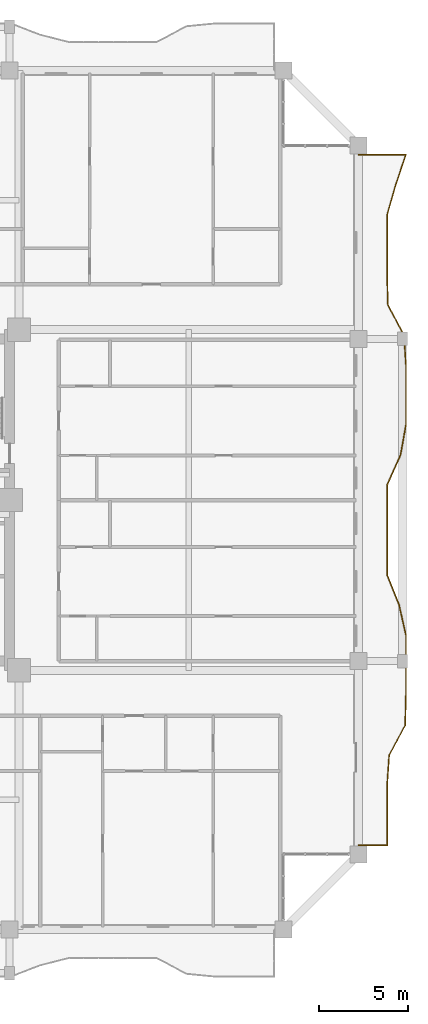
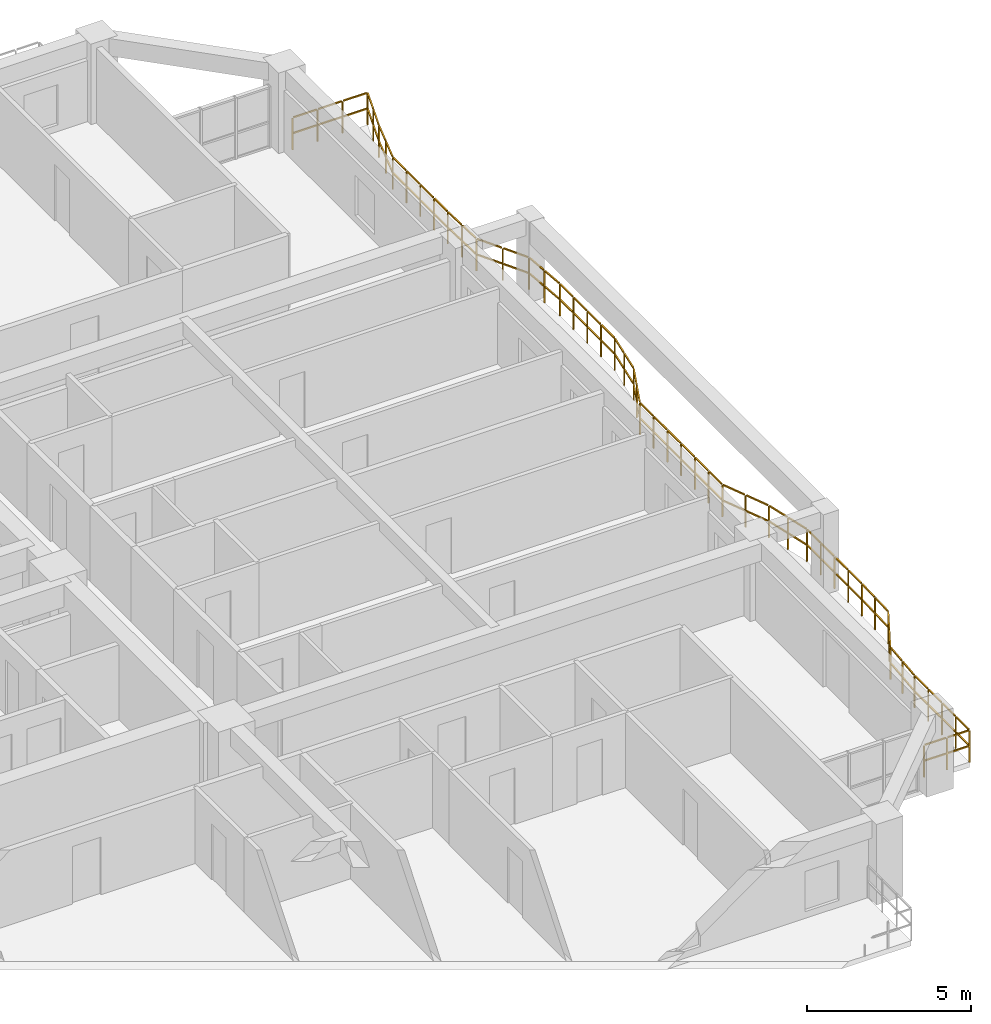
# One storey, part 24 of 25: 1 railing.
"""IFC4 building model written with IfcOpenShell, lengths in metres."""

from ifc_helpers import new_model, si_unit, direction, frame, origin, origin_2d, place, context, subcontext, project, spatial, rectangle, extrude, material, type_object, element, save


model = new_model("IFC4")

# Units and contexts
model_context = context("Model", 3, precision=1e-05, world=origin(), true_north=direction((0.0, 1.0)))
body_context = subcontext(model_context, "Body", "Model", "MODEL_VIEW")
ifc_project = project(units=[si_unit("LENGTHUNIT", "METRE"), si_unit("AREAUNIT", "SQUARE_METRE"), si_unit("VOLUMEUNIT", "CUBIC_METRE"), si_unit("PLANEANGLEUNIT", "RADIAN"), si_unit("MASSUNIT", "GRAM", prefix="KILO")], contexts=[model_context])

# Site, building, storey
site_placement = place(None, origin())
site = spatial("IfcSite", under=ifc_project, at=site_placement, CompositionType="ELEMENT")
building_placement = place(site_placement, origin())
building = spatial("IfcBuilding", under=site, at=building_placement, Name="Saelheon Loggia Tower", CompositionType="ELEMENT")
storey_placement = place(building_placement, frame((0.0, 0.0, 80.85009765625)))
storey = spatial("IfcBuildingStorey", under=building, at=storey_placement, Name="L25", CompositionType="ELEMENT", Elevation=80.85009765625)

# Railing
ifc_material = material(Name="Architectural Precast Concrete and Laminated Glass Guard", Category="concrete")
railing_type = type_object("IfcRailingType", Name="Guard_Loggia_RL_LOG", PredefinedType="BALUSTRADE", material=ifc_material)
railing_placement = place(storey_placement, frame((64.0, 7.699951171875, 0.0)))
element("IfcRailing", 1, at=railing_placement, inside=storey, type_object=railing_type, Name="L25 East Loggia Balustrade", PredefinedType="BALUSTRADE", context=body_context, shape_type="SweptSolid", body=[
    extrude(rectangle(XDim=0.048095703125, YDim=0.048095703125, at=origin_2d()), frame((0.033203125, 0.0, 1.19580078125), z_axis=(1.0, 0.0, 0.0), x_axis=(0.0, 1.0, 0.0)), (0.0, 0.0, 1.0), 0.733642578125),
    extrude(rectangle(XDim=0.048095703125, YDim=0.048095703125, at=origin_2d()), frame((0.033203125, 0.0, 0.60986328125), z_axis=(1.0, 0.0, 0.0), x_axis=(0.0, 1.0, 0.0)), (0.0, 0.0, 1.0), 0.733642578125),
    extrude(rectangle(XDim=0.048095703125, YDim=0.048095703125, at=origin_2d()), frame((0.833251953125, 0.0, 1.19580078125), z_axis=(1.0, 0.0, 0.0), x_axis=(0.0, 1.0, 0.0)), (0.0, 0.0, 1.0), 0.733642578125),
    extrude(rectangle(XDim=0.048095703125, YDim=0.048095703125, at=origin_2d()), frame((0.833251953125, 0.0, 0.60986328125), z_axis=(1.0, 0.0, 0.0), x_axis=(0.0, 1.0, 0.0)), (0.0, 0.0, 1.0), 0.733642578125),
    extrude(rectangle(XDim=0.048095703125, YDim=0.048095703125, at=origin_2d()), frame((1.60009765625, 0.033203125, 1.19580078125), z_axis=(0.0, 1.0, 0.0), x_axis=(-1.0, 0.0, 0.0)), (0.0, 0.0, 1.0), 0.772705078125),
    extrude(rectangle(XDim=0.048095703125, YDim=0.048095703125, at=origin_2d()), frame((1.60009765625, 0.033203125, 0.60986328125), z_axis=(0.0, 1.0, 0.0), x_axis=(-1.0, 0.0, 0.0)), (0.0, 0.0, 1.0), 0.772705078125),
    extrude(rectangle(XDim=0.048095703125, YDim=0.048095703125, at=origin_2d()), frame((1.60009765625, 0.87255859375, 1.19580078125), z_axis=(0.0, 1.0, 0.0), x_axis=(-1.0, 0.0, 0.0)), (0.0, 0.0, 1.0), 0.772705078125),
    extrude(rectangle(XDim=0.048095703125, YDim=0.048095703125, at=origin_2d()), frame((1.60009765625, 0.87255859375, 0.60986328125), z_axis=(0.0, 1.0, 0.0), x_axis=(-1.0, 0.0, 0.0)), (0.0, 0.0, 1.0), 0.772705078125),
    extrude(rectangle(XDim=0.048095703125, YDim=0.048095703125, at=origin_2d()), frame((1.60009765625, 1.711669921875, 1.19580078125), z_axis=(0.0, 1.0, 0.0), x_axis=(-1.0, 0.0, 0.0)), (0.0, 0.0, 1.0), 0.7724609375),
    extrude(rectangle(XDim=0.048095703125, YDim=0.048095703125, at=origin_2d()), frame((1.60009765625, 1.711669921875, 0.60986328125), z_axis=(0.0, 1.0, 0.0), x_axis=(-1.0, 0.0, 0.0)), (0.0, 0.0, 1.0), 0.7724609375),
    extrude(rectangle(XDim=0.048095703125, YDim=0.048095703125, at=origin_2d()), frame((1.60009765625, 2.55078125, 1.19580078125), z_axis=(0.0, 1.0, 0.0), x_axis=(-1.0, 0.0, 0.0)), (0.0, 0.0, 1.0), 0.7724609375),
    extrude(rectangle(XDim=0.048095703125, YDim=0.048095703125, at=origin_2d()), frame((1.60009765625, 2.55078125, 0.60986328125), z_axis=(0.0, 1.0, 0.0), x_axis=(-1.0, 0.0, 0.0)), (0.0, 0.0, 1.0), 0.7724609375),
    extrude(rectangle(XDim=0.048095703125, YDim=0.048095703125, at=origin_2d()), frame((1.602294921875, 3.3896484375, 1.19580078125), z_axis=(0.068059999537, 0.997681229884, 0.0), x_axis=(-0.997681229884, 0.068059999537, 0.0)), (0.0, 0.0, 1.0), 0.774658203125),
    extrude(rectangle(XDim=0.048095703125, YDim=0.048095703125, at=origin_2d()), frame((1.602294921875, 3.3896484375, 0.60986328125), z_axis=(0.068059999537, 0.997681229884, 0.0), x_axis=(-0.997681229884, 0.068059999537, 0.0)), (0.0, 0.0, 1.0), 0.774658203125),
    extrude(rectangle(XDim=0.048095703125, YDim=0.048095703125, at=origin_2d()), frame((1.65966796875, 4.228759765625, 1.19580078125), z_axis=(0.068059999537, 0.997681229884, 0.0), x_axis=(-0.997681229884, 0.068059999537, 0.0)), (0.0, 0.0, 1.0), 0.774658203125),
    extrude(rectangle(XDim=0.048095703125, YDim=0.048095703125, at=origin_2d()), frame((1.65966796875, 4.228759765625, 0.60986328125), z_axis=(0.068059999537, 0.997681229884, 0.0), x_axis=(-0.997681229884, 0.068059999537, 0.0)), (0.0, 0.0, 1.0), 0.774658203125),
    extrude(rectangle(XDim=0.048095703125, YDim=0.048095703125, at=origin_2d()), frame((1.730224609375, 5.064208984375, 1.19580078125), z_axis=(0.4706748388, 0.882306747181, 0.0), x_axis=(-0.882306747181, 0.4706748388, 0.0)), (0.0, 0.0, 1.0), 0.884521484375),
    extrude(rectangle(XDim=0.048095703125, YDim=0.048095703125, at=origin_2d()), frame((1.730224609375, 5.064208984375, 0.60986328125), z_axis=(0.4706748388, 0.882306747181, 0.0), x_axis=(-0.882306747181, 0.4706748388, 0.0)), (0.0, 0.0, 1.0), 0.884521484375),
    extrude(rectangle(XDim=0.048095703125, YDim=0.048095703125, at=origin_2d()), frame((2.177978515625, 5.9033203125, 1.19580078125), z_axis=(0.4706748388, 0.882306747181, 0.0), x_axis=(-0.882306747181, 0.4706748388, 0.0)), (0.0, 0.0, 1.0), 0.884521484375),
    extrude(rectangle(XDim=0.048095703125, YDim=0.048095703125, at=origin_2d()), frame((2.177978515625, 5.9033203125, 0.60986328125), z_axis=(0.4706748388, 0.882306747181, 0.0), x_axis=(-0.882306747181, 0.4706748388, 0.0)), (0.0, 0.0, 1.0), 0.884521484375),
    extrude(rectangle(XDim=0.048095703125, YDim=0.048095703125, at=origin_2d()), frame((2.610595703125, 6.746337890625, 1.19580078125), z_axis=(0.023851228559, 0.999715518983, 0.0), x_axis=(-0.999715518983, 0.023851228559, 0.0)), (0.0, 0.0, 1.0), 0.77294921875),
    extrude(rectangle(XDim=0.048095703125, YDim=0.048095703125, at=origin_2d()), frame((2.610595703125, 6.746337890625, 0.60986328125), z_axis=(0.023851228559, 0.999715518983, 0.0), x_axis=(-0.999715518983, 0.023851228559, 0.0)), (0.0, 0.0, 1.0), 0.77294921875),
    extrude(rectangle(XDim=0.048095703125, YDim=0.048095703125, at=origin_2d()), frame((2.630615234375, 7.58544921875, 1.19580078125), z_axis=(0.023851228559, 0.999715518983, 0.0), x_axis=(-0.999715518983, 0.023851228559, 0.0)), (0.0, 0.0, 1.0), 0.77294921875),
    extrude(rectangle(XDim=0.048095703125, YDim=0.048095703125, at=origin_2d()), frame((2.630615234375, 7.58544921875, 0.60986328125), z_axis=(0.023851228559, 0.999715518983, 0.0), x_axis=(-0.999715518983, 0.023851228559, 0.0)), (0.0, 0.0, 1.0), 0.77294921875),
    extrude(rectangle(XDim=0.048095703125, YDim=0.048095703125, at=origin_2d()), frame((2.64990234375, 8.424560546875, 1.19580078125), z_axis=(0.0, 1.0, 0.0), x_axis=(-1.0, 0.0, 0.0)), (0.0, 0.0, 1.0), 0.772705078125),
    extrude(rectangle(XDim=0.048095703125, YDim=0.048095703125, at=origin_2d()), frame((2.64990234375, 8.424560546875, 0.60986328125), z_axis=(0.0, 1.0, 0.0), x_axis=(-1.0, 0.0, 0.0)), (0.0, 0.0, 1.0), 0.772705078125),
    extrude(rectangle(XDim=0.048095703125, YDim=0.048095703125, at=origin_2d()), frame((2.64990234375, 9.263671875, 1.19580078125), z_axis=(0.0, 1.0, 0.0), x_axis=(-1.0, 0.0, 0.0)), (0.0, 0.0, 1.0), 0.772705078125),
    extrude(rectangle(XDim=0.048095703125, YDim=0.048095703125, at=origin_2d()), frame((2.64990234375, 9.263671875, 0.60986328125), z_axis=(0.0, 1.0, 0.0), x_axis=(-1.0, 0.0, 0.0)), (0.0, 0.0, 1.0), 0.772705078125),
    extrude(rectangle(XDim=0.048095703125, YDim=0.048095703125, at=origin_2d()), frame((2.64990234375, 10.102783203125, 1.19580078125), z_axis=(0.0, 1.0, 0.0), x_axis=(-1.0, 0.0, 0.0)), (0.0, 0.0, 1.0), 0.772705078125),
    extrude(rectangle(XDim=0.048095703125, YDim=0.048095703125, at=origin_2d()), frame((2.64990234375, 10.102783203125, 0.60986328125), z_axis=(0.0, 1.0, 0.0), x_axis=(-1.0, 0.0, 0.0)), (0.0, 0.0, 1.0), 0.772705078125),
    extrude(rectangle(XDim=0.048095703125, YDim=0.048095703125, at=origin_2d()), frame((2.64990234375, 10.94189453125, 1.19580078125), z_axis=(0.0, 1.0, 0.0), x_axis=(-1.0, 0.0, 0.0)), (0.0, 0.0, 1.0), 0.772705078125),
    extrude(rectangle(XDim=0.048095703125, YDim=0.048095703125, at=origin_2d()), frame((2.64990234375, 10.94189453125, 0.60986328125), z_axis=(0.0, 1.0, 0.0), x_axis=(-1.0, 0.0, 0.0)), (0.0, 0.0, 1.0), 0.772705078125),
    extrude(rectangle(XDim=0.048095703125, YDim=0.048095703125, at=origin_2d()), frame((2.642578125, 11.7802734375, 1.19580078125), z_axis=(-0.219934224099, 0.975514703667, 0.0), x_axis=(-0.975514703667, -0.219934224099, 0.0)), (0.0, 0.0, 1.0), 0.7939453125),
    extrude(rectangle(XDim=0.048095703125, YDim=0.048095703125, at=origin_2d()), frame((2.642578125, 11.7802734375, 0.60986328125), z_axis=(-0.219934224099, 0.975514703667, 0.0), x_axis=(-0.975514703667, -0.219934224099, 0.0)), (0.0, 0.0, 1.0), 0.7939453125),
    extrude(rectangle(XDim=0.048095703125, YDim=0.048095703125, at=origin_2d()), frame((2.453369140625, 12.619384765625, 1.19580078125), z_axis=(-0.219934224099, 0.975514703667, 0.0), x_axis=(-0.975514703667, -0.219934224099, 0.0)), (0.0, 0.0, 1.0), 0.7939453125),
    extrude(rectangle(XDim=0.048095703125, YDim=0.048095703125, at=origin_2d()), frame((2.453369140625, 12.619384765625, 0.60986328125), z_axis=(-0.219934224099, 0.975514703667, 0.0), x_axis=(-0.975514703667, -0.219934224099, 0.0)), (0.0, 0.0, 1.0), 0.7939453125),
    extrude(rectangle(XDim=0.048095703125, YDim=0.048095703125, at=origin_2d()), frame((2.259033203125, 13.45703125, 1.19580078125), z_axis=(-0.371483836575, 0.928439421375, 0.0), x_axis=(-0.928439421375, -0.371483836575, 0.0)), (0.0, 0.0, 1.0), 0.837158203125),
    extrude(rectangle(XDim=0.048095703125, YDim=0.048095703125, at=origin_2d()), frame((2.259033203125, 13.45703125, 0.60986328125), z_axis=(-0.371483836575, 0.928439421375, 0.0), x_axis=(-0.928439421375, -0.371483836575, 0.0)), (0.0, 0.0, 1.0), 0.837158203125),
    extrude(rectangle(XDim=0.048095703125, YDim=0.048095703125, at=origin_2d()), frame((1.92333984375, 14.296142578125, 1.19580078125), z_axis=(-0.371483836575, 0.928439421375, 0.0), x_axis=(-0.928439421375, -0.371483836575, 0.0)), (0.0, 0.0, 1.0), 0.837158203125),
    extrude(rectangle(XDim=0.048095703125, YDim=0.048095703125, at=origin_2d()), frame((1.92333984375, 14.296142578125, 0.60986328125), z_axis=(-0.371483836575, 0.928439421375, 0.0), x_axis=(-0.928439421375, -0.371483836575, 0.0)), (0.0, 0.0, 1.0), 0.837158203125),
    extrude(rectangle(XDim=0.048095703125, YDim=0.048095703125, at=origin_2d()), frame((1.60009765625, 15.137451171875, 1.19580078125), z_axis=(0.0, 1.0, 0.0), x_axis=(-1.0, 0.0, 0.0)), (0.0, 0.0, 1.0), 0.772705078125),
    extrude(rectangle(XDim=0.048095703125, YDim=0.048095703125, at=origin_2d()), frame((1.60009765625, 15.137451171875, 0.60986328125), z_axis=(0.0, 1.0, 0.0), x_axis=(-1.0, 0.0, 0.0)), (0.0, 0.0, 1.0), 0.772705078125),
    extrude(rectangle(XDim=0.048095703125, YDim=0.048095703125, at=origin_2d()), frame((1.60009765625, 15.976806640625, 1.19580078125), z_axis=(0.0, 1.0, 0.0), x_axis=(-1.0, 0.0, 0.0)), (0.0, 0.0, 1.0), 0.772705078125),
    extrude(rectangle(XDim=0.048095703125, YDim=0.048095703125, at=origin_2d()), frame((1.60009765625, 15.976806640625, 0.60986328125), z_axis=(0.0, 1.0, 0.0), x_axis=(-1.0, 0.0, 0.0)), (0.0, 0.0, 1.0), 0.772705078125),
    extrude(rectangle(XDim=0.048095703125, YDim=0.048095703125, at=origin_2d()), frame((1.60009765625, 16.81591796875, 1.19580078125), z_axis=(0.0, 1.0, 0.0), x_axis=(-1.0, 0.0, 0.0)), (0.0, 0.0, 1.0), 0.772705078125),
    extrude(rectangle(XDim=0.048095703125, YDim=0.048095703125, at=origin_2d()), frame((1.60009765625, 16.81591796875, 0.60986328125), z_axis=(0.0, 1.0, 0.0), x_axis=(-1.0, 0.0, 0.0)), (0.0, 0.0, 1.0), 0.772705078125),
    extrude(rectangle(XDim=0.048095703125, YDim=0.048095703125, at=origin_2d()), frame((1.60009765625, 17.655029296875, 1.19580078125), z_axis=(0.0, 1.0, 0.0), x_axis=(-1.0, 0.0, 0.0)), (0.0, 0.0, 1.0), 0.772705078125),
    extrude(rectangle(XDim=0.048095703125, YDim=0.048095703125, at=origin_2d()), frame((1.60009765625, 17.655029296875, 0.60986328125), z_axis=(0.0, 1.0, 0.0), x_axis=(-1.0, 0.0, 0.0)), (0.0, 0.0, 1.0), 0.772705078125),
    extrude(rectangle(XDim=0.048095703125, YDim=0.048095703125, at=origin_2d()), frame((1.60009765625, 18.494140625, 1.19580078125), z_axis=(0.0, 1.0, 0.0), x_axis=(-1.0, 0.0, 0.0)), (0.0, 0.0, 1.0), 0.772705078125),
    extrude(rectangle(XDim=0.048095703125, YDim=0.048095703125, at=origin_2d()), frame((1.60009765625, 18.494140625, 0.60986328125), z_axis=(0.0, 1.0, 0.0), x_axis=(-1.0, 0.0, 0.0)), (0.0, 0.0, 1.0), 0.772705078125),
    extrude(rectangle(XDim=0.048095703125, YDim=0.048095703125, at=origin_2d()), frame((1.60009765625, 19.333251953125, 1.19580078125), z_axis=(0.0, 1.0, 0.0), x_axis=(-1.0, 0.0, 0.0)), (0.0, 0.0, 1.0), 0.772705078125),
    extrude(rectangle(XDim=0.048095703125, YDim=0.048095703125, at=origin_2d()), frame((1.60009765625, 19.333251953125, 0.60986328125), z_axis=(0.0, 1.0, 0.0), x_axis=(-1.0, 0.0, 0.0)), (0.0, 0.0, 1.0), 0.772705078125),
    extrude(rectangle(XDim=0.048095703125, YDim=0.048095703125, at=origin_2d()), frame((1.613525390625, 20.16943359375, 1.19580078125), z_axis=(0.407567762137, 0.913174966404, 0.0), x_axis=(-0.913174966404, 0.407567762137, 0.0)), (0.0, 0.0, 1.0), 0.8525390625),
    extrude(rectangle(XDim=0.048095703125, YDim=0.048095703125, at=origin_2d()), frame((1.613525390625, 20.16943359375, 0.60986328125), z_axis=(0.407567762137, 0.913174966404, 0.0), x_axis=(-0.913174966404, 0.407567762137, 0.0)), (0.0, 0.0, 1.0), 0.8525390625),
    extrude(rectangle(XDim=0.048095703125, YDim=0.048095703125, at=origin_2d()), frame((1.988037109375, 21.008544921875, 1.19580078125), z_axis=(0.407567762137, 0.913174966404, 0.0), x_axis=(-0.913174966404, 0.407567762137, 0.0)), (0.0, 0.0, 1.0), 0.8525390625),
    extrude(rectangle(XDim=0.048095703125, YDim=0.048095703125, at=origin_2d()), frame((1.988037109375, 21.008544921875, 0.60986328125), z_axis=(0.407567762137, 0.913174966404, 0.0), x_axis=(-0.913174966404, 0.407567762137, 0.0)), (0.0, 0.0, 1.0), 0.8525390625),
    extrude(rectangle(XDim=0.048095703125, YDim=0.048095703125, at=origin_2d()), frame((2.35498046875, 21.85009765625, 1.19580078125), z_axis=(0.176390201741, 0.984320322217, 0.0), x_axis=(-0.984320322217, 0.176390201741, 0.0)), (0.0, 0.0, 1.0), 0.7861328125),
    extrude(rectangle(XDim=0.048095703125, YDim=0.048095703125, at=origin_2d()), frame((2.35498046875, 21.85009765625, 0.60986328125), z_axis=(0.176390201741, 0.984320322217, 0.0), x_axis=(-0.984320322217, 0.176390201741, 0.0)), (0.0, 0.0, 1.0), 0.7861328125),
    extrude(rectangle(XDim=0.048095703125, YDim=0.048095703125, at=origin_2d()), frame((2.50537109375, 22.689208984375, 1.19580078125), z_axis=(0.176390201741, 0.984320322217, 0.0), x_axis=(-0.984320322217, 0.176390201741, 0.0)), (0.0, 0.0, 1.0), 0.7861328125),
    extrude(rectangle(XDim=0.048095703125, YDim=0.048095703125, at=origin_2d()), frame((2.50537109375, 22.689208984375, 0.60986328125), z_axis=(0.176390201741, 0.984320322217, 0.0), x_axis=(-0.984320322217, 0.176390201741, 0.0)), (0.0, 0.0, 1.0), 0.7861328125),
    extrude(rectangle(XDim=0.048095703125, YDim=0.048095703125, at=origin_2d()), frame((2.64990234375, 23.529052734375, 1.19580078125), z_axis=(0.0, 1.0, 0.0), x_axis=(-1.0, 0.0, 0.0)), (0.0, 0.0, 1.0), 0.7724609375),
    extrude(rectangle(XDim=0.048095703125, YDim=0.048095703125, at=origin_2d()), frame((2.64990234375, 23.529052734375, 0.60986328125), z_axis=(0.0, 1.0, 0.0), x_axis=(-1.0, 0.0, 0.0)), (0.0, 0.0, 1.0), 0.7724609375),
    extrude(rectangle(XDim=0.048095703125, YDim=0.048095703125, at=origin_2d()), frame((2.64990234375, 24.3681640625, 1.19580078125), z_axis=(0.0, 1.0, 0.0), x_axis=(-1.0, 0.0, 0.0)), (0.0, 0.0, 1.0), 0.7724609375),
    extrude(rectangle(XDim=0.048095703125, YDim=0.048095703125, at=origin_2d()), frame((2.64990234375, 24.3681640625, 0.60986328125), z_axis=(0.0, 1.0, 0.0), x_axis=(-1.0, 0.0, 0.0)), (0.0, 0.0, 1.0), 0.7724609375),
    extrude(rectangle(XDim=0.048095703125, YDim=0.048095703125, at=origin_2d()), frame((2.64990234375, 25.20703125, 1.19580078125), z_axis=(0.0, 1.0, 0.0), x_axis=(-1.0, 0.0, 0.0)), (0.0, 0.0, 1.0), 0.772705078125),
    extrude(rectangle(XDim=0.048095703125, YDim=0.048095703125, at=origin_2d()), frame((2.64990234375, 25.20703125, 0.60986328125), z_axis=(0.0, 1.0, 0.0), x_axis=(-1.0, 0.0, 0.0)), (0.0, 0.0, 1.0), 0.772705078125),
    extrude(rectangle(XDim=0.048095703125, YDim=0.048095703125, at=origin_2d()), frame((2.64990234375, 26.04638671875, 1.19580078125), z_axis=(0.0, 1.0, 0.0), x_axis=(-1.0, 0.0, 0.0)), (0.0, 0.0, 1.0), 0.772705078125),
    extrude(rectangle(XDim=0.048095703125, YDim=0.048095703125, at=origin_2d()), frame((2.64990234375, 26.04638671875, 0.60986328125), z_axis=(0.0, 1.0, 0.0), x_axis=(-1.0, 0.0, 0.0)), (0.0, 0.0, 1.0), 0.772705078125),
    extrude(rectangle(XDim=0.048095703125, YDim=0.048095703125, at=origin_2d()), frame((2.647705078125, 26.885498046875, 1.19580078125), z_axis=(-0.06778091462, 0.997700229334, 0.0), x_axis=(-0.997700229334, -0.06778091462, 0.0)), (0.0, 0.0, 1.0), 0.774658203125),
    extrude(rectangle(XDim=0.048095703125, YDim=0.048095703125, at=origin_2d()), frame((2.647705078125, 26.885498046875, 0.60986328125), z_axis=(-0.06778091462, 0.997700229334, 0.0), x_axis=(-0.997700229334, -0.06778091462, 0.0)), (0.0, 0.0, 1.0), 0.774658203125),
    extrude(rectangle(XDim=0.048095703125, YDim=0.048095703125, at=origin_2d()), frame((2.590576171875, 27.724609375, 1.19580078125), z_axis=(-0.06778091462, 0.997700229334, 0.0), x_axis=(-0.997700229334, -0.06778091462, 0.0)), (0.0, 0.0, 1.0), 0.774658203125),
    extrude(rectangle(XDim=0.048095703125, YDim=0.048095703125, at=origin_2d()), frame((2.590576171875, 27.724609375, 0.60986328125), z_axis=(-0.06778091462, 0.997700229334, 0.0), x_axis=(-0.997700229334, -0.06778091462, 0.0)), (0.0, 0.0, 1.0), 0.774658203125),
    extrude(rectangle(XDim=0.048095703125, YDim=0.048095703125, at=origin_2d()), frame((2.520263671875, 28.559814453125, 1.19580078125), z_axis=(-0.470275016821, 0.882519919636, 0.0), x_axis=(-0.882519919636, -0.470275016821, 0.0)), (0.0, 0.0, 1.0), 0.88427734375),
    extrude(rectangle(XDim=0.048095703125, YDim=0.048095703125, at=origin_2d()), frame((2.520263671875, 28.559814453125, 0.60986328125), z_axis=(-0.470275016821, 0.882519919636, 0.0), x_axis=(-0.882519919636, -0.470275016821, 0.0)), (0.0, 0.0, 1.0), 0.88427734375),
    extrude(rectangle(XDim=0.048095703125, YDim=0.048095703125, at=origin_2d()), frame((2.072998046875, 29.39892578125, 1.19580078125), z_axis=(-0.470275016821, 0.882519919636, 0.0), x_axis=(-0.882519919636, -0.470275016821, 0.0)), (0.0, 0.0, 1.0), 0.88427734375),
    extrude(rectangle(XDim=0.048095703125, YDim=0.048095703125, at=origin_2d()), frame((2.072998046875, 29.39892578125, 0.60986328125), z_axis=(-0.470275016821, 0.882519919636, 0.0), x_axis=(-0.882519919636, -0.470275016821, 0.0)), (0.0, 0.0, 1.0), 0.88427734375),
    extrude(rectangle(XDim=0.048095703125, YDim=0.048095703125, at=origin_2d()), frame((1.640869140625, 30.241943359375, 1.19580078125), z_axis=(-0.024723310515, 0.999694332242, 0.0), x_axis=(-0.999694332242, -0.024723310515, 0.0)), (0.0, 0.0, 1.0), 0.77294921875),
    extrude(rectangle(XDim=0.048095703125, YDim=0.048095703125, at=origin_2d()), frame((1.640869140625, 30.241943359375, 0.60986328125), z_axis=(-0.024723310515, 0.999694332242, 0.0), x_axis=(-0.999694332242, -0.024723310515, 0.0)), (0.0, 0.0, 1.0), 0.77294921875),
    extrude(rectangle(XDim=0.048095703125, YDim=0.048095703125, at=origin_2d()), frame((1.6201171875, 31.0810546875, 1.19580078125), z_axis=(-0.024723310515, 0.999694332242, 0.0), x_axis=(-0.999694332242, -0.024723310515, 0.0)), (0.0, 0.0, 1.0), 0.77294921875),
    extrude(rectangle(XDim=0.048095703125, YDim=0.048095703125, at=origin_2d()), frame((1.6201171875, 31.0810546875, 0.60986328125), z_axis=(-0.024723310515, 0.999694332242, 0.0), x_axis=(-0.999694332242, -0.024723310515, 0.0)), (0.0, 0.0, 1.0), 0.77294921875),
    extrude(rectangle(XDim=0.048095703125, YDim=0.048095703125, at=origin_2d()), frame((1.60009765625, 31.920166015625, 1.19580078125), z_axis=(0.0, 1.0, 0.0), x_axis=(-1.0, 0.0, 0.0)), (0.0, 0.0, 1.0), 0.772705078125),
    extrude(rectangle(XDim=0.048095703125, YDim=0.048095703125, at=origin_2d()), frame((1.60009765625, 31.920166015625, 0.60986328125), z_axis=(0.0, 1.0, 0.0), x_axis=(-1.0, 0.0, 0.0)), (0.0, 0.0, 1.0), 0.772705078125),
    extrude(rectangle(XDim=0.048095703125, YDim=0.048095703125, at=origin_2d()), frame((1.60009765625, 32.75927734375, 1.19580078125), z_axis=(0.0, 1.0, 0.0), x_axis=(-1.0, 0.0, 0.0)), (0.0, 0.0, 1.0), 0.772705078125),
    extrude(rectangle(XDim=0.048095703125, YDim=0.048095703125, at=origin_2d()), frame((1.60009765625, 32.75927734375, 0.60986328125), z_axis=(0.0, 1.0, 0.0), x_axis=(-1.0, 0.0, 0.0)), (0.0, 0.0, 1.0), 0.772705078125),
    extrude(rectangle(XDim=0.048095703125, YDim=0.048095703125, at=origin_2d()), frame((1.60009765625, 33.598388671875, 1.19580078125), z_axis=(0.0, 1.0, 0.0), x_axis=(-1.0, 0.0, 0.0)), (0.0, 0.0, 1.0), 0.772705078125),
    extrude(rectangle(XDim=0.048095703125, YDim=0.048095703125, at=origin_2d()), frame((1.60009765625, 33.598388671875, 0.60986328125), z_axis=(0.0, 1.0, 0.0), x_axis=(-1.0, 0.0, 0.0)), (0.0, 0.0, 1.0), 0.772705078125),
    extrude(rectangle(XDim=0.048095703125, YDim=0.048095703125, at=origin_2d()), frame((1.60009765625, 34.437744140625, 1.19580078125), z_axis=(0.0, 1.0, 0.0), x_axis=(-1.0, 0.0, 0.0)), (0.0, 0.0, 1.0), 0.772705078125),
    extrude(rectangle(XDim=0.048095703125, YDim=0.048095703125, at=origin_2d()), frame((1.60009765625, 34.437744140625, 0.60986328125), z_axis=(0.0, 1.0, 0.0), x_axis=(-1.0, 0.0, 0.0)), (0.0, 0.0, 1.0), 0.772705078125),
    extrude(rectangle(XDim=0.048095703125, YDim=0.048095703125, at=origin_2d()), frame((1.609130859375, 35.275634765625, 1.19580078125), z_axis=(0.275146022747, 0.961402447556, 0.0), x_axis=(-0.961402447556, 0.275146022747, 0.0)), (0.0, 0.0, 1.0), 0.80615234375),
    extrude(rectangle(XDim=0.048095703125, YDim=0.048095703125, at=origin_2d()), frame((1.609130859375, 35.275634765625, 0.60986328125), z_axis=(0.275146022747, 0.961402447556, 0.0), x_axis=(-0.961402447556, 0.275146022747, 0.0)), (0.0, 0.0, 1.0), 0.80615234375),
    extrude(rectangle(XDim=0.048095703125, YDim=0.048095703125, at=origin_2d()), frame((1.849365234375, 36.114501953125, 1.19580078125), z_axis=(0.275146022747, 0.961402447556, 0.0), x_axis=(-0.961402447556, 0.275146022747, 0.0)), (0.0, 0.0, 1.0), 0.80615234375),
    extrude(rectangle(XDim=0.048095703125, YDim=0.048095703125, at=origin_2d()), frame((1.849365234375, 36.114501953125, 0.60986328125), z_axis=(0.275146022747, 0.961402447556, 0.0), x_axis=(-0.961402447556, 0.275146022747, 0.0)), (0.0, 0.0, 1.0), 0.80615234375),
    extrude(rectangle(XDim=0.048095703125, YDim=0.048095703125, at=origin_2d()), frame((2.091064453125, 36.953125, 1.19580078125), z_axis=(0.321347076039, 0.946961486398, 0.0), x_axis=(-0.946961486398, 0.321347076039, 0.0)), (0.0, 0.0, 1.0), 0.81982421875),
    extrude(rectangle(XDim=0.048095703125, YDim=0.048095703125, at=origin_2d()), frame((2.091064453125, 36.953125, 0.60986328125), z_axis=(0.321347076039, 0.946961486398, 0.0), x_axis=(-0.946961486398, 0.321347076039, 0.0)), (0.0, 0.0, 1.0), 0.81982421875),
    extrude(rectangle(XDim=0.048095703125, YDim=0.048095703125, at=origin_2d()), frame((2.375732421875, 37.792236328125, 1.19580078125), z_axis=(0.321347076039, 0.946961486398, 0.0), x_axis=(-0.946961486398, 0.321347076039, 0.0)), (0.0, 0.0, 1.0), 0.81982421875),
    extrude(rectangle(XDim=0.048095703125, YDim=0.048095703125, at=origin_2d()), frame((2.375732421875, 37.792236328125, 0.60986328125), z_axis=(0.321347076039, 0.946961486398, 0.0), x_axis=(-0.946961486398, 0.321347076039, 0.0)), (0.0, 0.0, 1.0), 0.81982421875),
    extrude(rectangle(XDim=0.048095703125, YDim=0.048095703125, at=origin_2d()), frame((2.61669921875, 38.60009765625, 1.19580078125), z_axis=(-1.0, 0.0, 0.0), x_axis=(0.0, -1.0, 0.0)), (0.0, 0.0, 1.0), 0.81689453125),
    extrude(rectangle(XDim=0.048095703125, YDim=0.048095703125, at=origin_2d()), frame((2.61669921875, 38.60009765625, 0.60986328125), z_axis=(-1.0, 0.0, 0.0), x_axis=(0.0, -1.0, 0.0)), (0.0, 0.0, 1.0), 0.81689453125),
    extrude(rectangle(XDim=0.048095703125, YDim=0.048095703125, at=origin_2d()), frame((1.7333984375, 38.60009765625, 1.19580078125), z_axis=(-1.0, 0.0, 0.0), x_axis=(0.0, -1.0, 0.0)), (0.0, 0.0, 1.0), 0.81689453125),
    extrude(rectangle(XDim=0.048095703125, YDim=0.048095703125, at=origin_2d()), frame((1.7333984375, 38.60009765625, 0.60986328125), z_axis=(-1.0, 0.0, 0.0), x_axis=(0.0, -1.0, 0.0)), (0.0, 0.0, 1.0), 0.81689453125),
    extrude(rectangle(XDim=0.048095703125, YDim=0.048095703125, at=origin_2d()), frame((0.85009765625, 38.60009765625, 1.19580078125), z_axis=(-1.0, 0.0, 0.0), x_axis=(0.0, -1.0, 0.0)), (0.0, 0.0, 1.0), 0.81689453125),
    extrude(rectangle(XDim=0.048095703125, YDim=0.048095703125, at=origin_2d()), frame((0.85009765625, 38.60009765625, 0.60986328125), z_axis=(-1.0, 0.0, 0.0), x_axis=(0.0, -1.0, 0.0)), (0.0, 0.0, 1.0), 0.81689453125),
    extrude(rectangle(XDim=0.0419921875, YDim=0.0419921875, at=origin_2d()), origin(), (0.0, 0.0, 1.0), 1.16796875),
    extrude(rectangle(XDim=0.0419921875, YDim=0.0419921875, at=origin_2d()), frame((0.800048828125, 0.0, 0.0)), (0.0, 0.0, 1.0), 1.16796875),
    extrude(rectangle(XDim=0.0419921875, YDim=0.0419921875, at=origin_2d()), frame((1.60009765625, 0.0, 0.0)), (0.0, 0.0, 1.0), 1.16796875),
    extrude(rectangle(XDim=0.0419921875, YDim=0.0419921875, at=origin_2d()), frame((1.60009765625, 0.83935546875, 0.0)), (0.0, 0.0, 1.0), 1.16796875),
    extrude(rectangle(XDim=0.0419921875, YDim=0.0419921875, at=origin_2d()), frame((1.60009765625, 1.678466796875, 0.0)), (0.0, 0.0, 1.0), 1.16796875),
    extrude(rectangle(XDim=0.0419921875, YDim=0.0419921875, at=origin_2d()), frame((1.60009765625, 2.517578125, 0.0)), (0.0, 0.0, 1.0), 1.16796875),
    extrude(rectangle(XDim=0.0419921875, YDim=0.0419921875, at=origin_2d()), frame((1.60009765625, 3.3564453125, 0.0)), (0.0, 0.0, 1.0), 1.16796875),
    extrude(rectangle(XDim=0.0419921875, YDim=0.0419921875, at=origin_2d()), frame((1.6572265625, 4.19580078125, 0.0)), (0.0, 0.0, 1.0), 1.16796875),
    extrude(rectangle(XDim=0.0419921875, YDim=0.0419921875, at=origin_2d()), frame((1.714599609375, 5.034912109375, 0.0)), (0.0, 0.0, 1.0), 1.16796875),
    extrude(rectangle(XDim=0.0419921875, YDim=0.0419921875, at=origin_2d()), frame((2.162109375, 5.8740234375, 0.0)), (0.0, 0.0, 1.0), 1.16796875),
    extrude(rectangle(XDim=0.0419921875, YDim=0.0419921875, at=origin_2d()), frame((2.60986328125, 6.713134765625, 0.0)), (0.0, 0.0, 1.0), 1.16796875),
    extrude(rectangle(XDim=0.0419921875, YDim=0.0419921875, at=origin_2d()), frame((2.6298828125, 7.55224609375, 0.0)), (0.0, 0.0, 1.0), 1.16796875),
    extrude(rectangle(XDim=0.0419921875, YDim=0.0419921875, at=origin_2d()), frame((2.64990234375, 8.391357421875, 0.0)), (0.0, 0.0, 1.0), 1.16796875),
    extrude(rectangle(XDim=0.0419921875, YDim=0.0419921875, at=origin_2d()), frame((2.64990234375, 9.23046875, 0.0)), (0.0, 0.0, 1.0), 1.16796875),
    extrude(rectangle(XDim=0.0419921875, YDim=0.0419921875, at=origin_2d()), frame((2.64990234375, 10.069580078125, 0.0)), (0.0, 0.0, 1.0), 1.16796875),
    extrude(rectangle(XDim=0.0419921875, YDim=0.0419921875, at=origin_2d()), frame((2.64990234375, 10.90869140625, 0.0)), (0.0, 0.0, 1.0), 1.16796875),
    extrude(rectangle(XDim=0.0419921875, YDim=0.0419921875, at=origin_2d()), frame((2.64990234375, 11.747802734375, 0.0)), (0.0, 0.0, 1.0), 1.16796875),
    extrude(rectangle(XDim=0.0419921875, YDim=0.0419921875, at=origin_2d()), frame((2.460693359375, 12.5869140625, 0.0)), (0.0, 0.0, 1.0), 1.16796875),
    extrude(rectangle(XDim=0.0419921875, YDim=0.0419921875, at=origin_2d()), frame((2.271484375, 13.42626953125, 0.0)), (0.0, 0.0, 1.0), 1.16796875),
    extrude(rectangle(XDim=0.0419921875, YDim=0.0419921875, at=origin_2d()), frame((1.935791015625, 14.26513671875, 0.0)), (0.0, 0.0, 1.0), 1.16796875),
    extrude(rectangle(XDim=0.0419921875, YDim=0.0419921875, at=origin_2d()), frame((1.60009765625, 15.104248046875, 0.0)), (0.0, 0.0, 1.0), 1.16796875),
    extrude(rectangle(XDim=0.0419921875, YDim=0.0419921875, at=origin_2d()), frame((1.60009765625, 15.943359375, 0.0)), (0.0, 0.0, 1.0), 1.16796875),
    extrude(rectangle(XDim=0.0419921875, YDim=0.0419921875, at=origin_2d()), frame((1.60009765625, 16.78271484375, 0.0)), (0.0, 0.0, 1.0), 1.16796875),
    extrude(rectangle(XDim=0.0419921875, YDim=0.0419921875, at=origin_2d()), frame((1.60009765625, 17.621826171875, 0.0)), (0.0, 0.0, 1.0), 1.16796875),
    extrude(rectangle(XDim=0.0419921875, YDim=0.0419921875, at=origin_2d()), frame((1.60009765625, 18.4609375, 0.0)), (0.0, 0.0, 1.0), 1.16796875),
    extrude(rectangle(XDim=0.0419921875, YDim=0.0419921875, at=origin_2d()), frame((1.60009765625, 19.300048828125, 0.0)), (0.0, 0.0, 1.0), 1.16796875),
    extrude(rectangle(XDim=0.0419921875, YDim=0.0419921875, at=origin_2d()), frame((1.60009765625, 20.13916015625, 0.0)), (0.0, 0.0, 1.0), 1.16796875),
    extrude(rectangle(XDim=0.0419921875, YDim=0.0419921875, at=origin_2d()), frame((1.974609375, 20.978271484375, 0.0)), (0.0, 0.0, 1.0), 1.16796875),
    extrude(rectangle(XDim=0.0419921875, YDim=0.0419921875, at=origin_2d()), frame((2.34912109375, 21.8173828125, 0.0)), (0.0, 0.0, 1.0), 1.16796875),
    extrude(rectangle(XDim=0.0419921875, YDim=0.0419921875, at=origin_2d()), frame((2.49951171875, 22.65673828125, 0.0)), (0.0, 0.0, 1.0), 1.16796875),
    extrude(rectangle(XDim=0.0419921875, YDim=0.0419921875, at=origin_2d()), frame((2.64990234375, 23.495849609375, 0.0)), (0.0, 0.0, 1.0), 1.16796875),
    extrude(rectangle(XDim=0.0419921875, YDim=0.0419921875, at=origin_2d()), frame((2.64990234375, 24.3349609375, 0.0)), (0.0, 0.0, 1.0), 1.16796875),
    extrude(rectangle(XDim=0.0419921875, YDim=0.0419921875, at=origin_2d()), frame((2.64990234375, 25.173828125, 0.0)), (0.0, 0.0, 1.0), 1.16796875),
    extrude(rectangle(XDim=0.0419921875, YDim=0.0419921875, at=origin_2d()), frame((2.64990234375, 26.01318359375, 0.0)), (0.0, 0.0, 1.0), 1.16796875),
    extrude(rectangle(XDim=0.0419921875, YDim=0.0419921875, at=origin_2d()), frame((2.64990234375, 26.852294921875, 0.0)), (0.0, 0.0, 1.0), 1.16796875),
    extrude(rectangle(XDim=0.0419921875, YDim=0.0419921875, at=origin_2d()), frame((2.5927734375, 27.69140625, 0.0)), (0.0, 0.0, 1.0), 1.16796875),
    extrude(rectangle(XDim=0.0419921875, YDim=0.0419921875, at=origin_2d()), frame((2.535888671875, 28.530517578125, 0.0)), (0.0, 0.0, 1.0), 1.16796875),
    extrude(rectangle(XDim=0.0419921875, YDim=0.0419921875, at=origin_2d()), frame((2.0888671875, 29.36962890625, 0.0)), (0.0, 0.0, 1.0), 1.16796875),
    extrude(rectangle(XDim=0.0419921875, YDim=0.0419921875, at=origin_2d()), frame((1.6416015625, 30.208740234375, 0.0)), (0.0, 0.0, 1.0), 1.16796875),
    extrude(rectangle(XDim=0.0419921875, YDim=0.0419921875, at=origin_2d()), frame((1.620849609375, 31.0478515625, 0.0)), (0.0, 0.0, 1.0), 1.16796875),
    extrude(rectangle(XDim=0.0419921875, YDim=0.0419921875, at=origin_2d()), frame((1.60009765625, 31.886962890625, 0.0)), (0.0, 0.0, 1.0), 1.16796875),
    extrude(rectangle(XDim=0.0419921875, YDim=0.0419921875, at=origin_2d()), frame((1.60009765625, 32.72607421875, 0.0)), (0.0, 0.0, 1.0), 1.16796875),
    extrude(rectangle(XDim=0.0419921875, YDim=0.0419921875, at=origin_2d()), frame((1.60009765625, 33.565185546875, 0.0)), (0.0, 0.0, 1.0), 1.16796875),
    extrude(rectangle(XDim=0.0419921875, YDim=0.0419921875, at=origin_2d()), frame((1.60009765625, 34.404296875, 0.0)), (0.0, 0.0, 1.0), 1.16796875),
    extrude(rectangle(XDim=0.0419921875, YDim=0.0419921875, at=origin_2d()), frame((1.60009765625, 35.24365234375, 0.0)), (0.0, 0.0, 1.0), 1.16796875),
    extrude(rectangle(XDim=0.0419921875, YDim=0.0419921875, at=origin_2d()), frame((1.84033203125, 36.08251953125, 0.0)), (0.0, 0.0, 1.0), 1.16796875),
    extrude(rectangle(XDim=0.0419921875, YDim=0.0419921875, at=origin_2d()), frame((2.080322265625, 36.921630859375, 0.0)), (0.0, 0.0, 1.0), 1.16796875),
    extrude(rectangle(XDim=0.0419921875, YDim=0.0419921875, at=origin_2d()), frame((2.365234375, 37.7607421875, 0.0)), (0.0, 0.0, 1.0), 1.16796875),
    extrude(rectangle(XDim=0.0419921875, YDim=0.0419921875, at=origin_2d()), frame((2.64990234375, 38.60009765625, 0.0)), (0.0, 0.0, 1.0), 1.16796875),
    extrude(rectangle(XDim=0.0419921875, YDim=0.0419921875, at=origin_2d()), frame((1.7666015625, 38.60009765625, 0.0)), (0.0, 0.0, 1.0), 1.16796875),
    extrude(rectangle(XDim=0.0419921875, YDim=0.0419921875, at=origin_2d()), frame((0.88330078125, 38.60009765625, 0.0)), (0.0, 0.0, 1.0), 1.16796875),
    extrude(rectangle(XDim=0.0419921875, YDim=0.0419921875, at=origin_2d()), frame((0.0, 38.60009765625, 0.0)), (0.0, 0.0, 1.0), 1.16796875),
])

save(model, "model.ifc")
